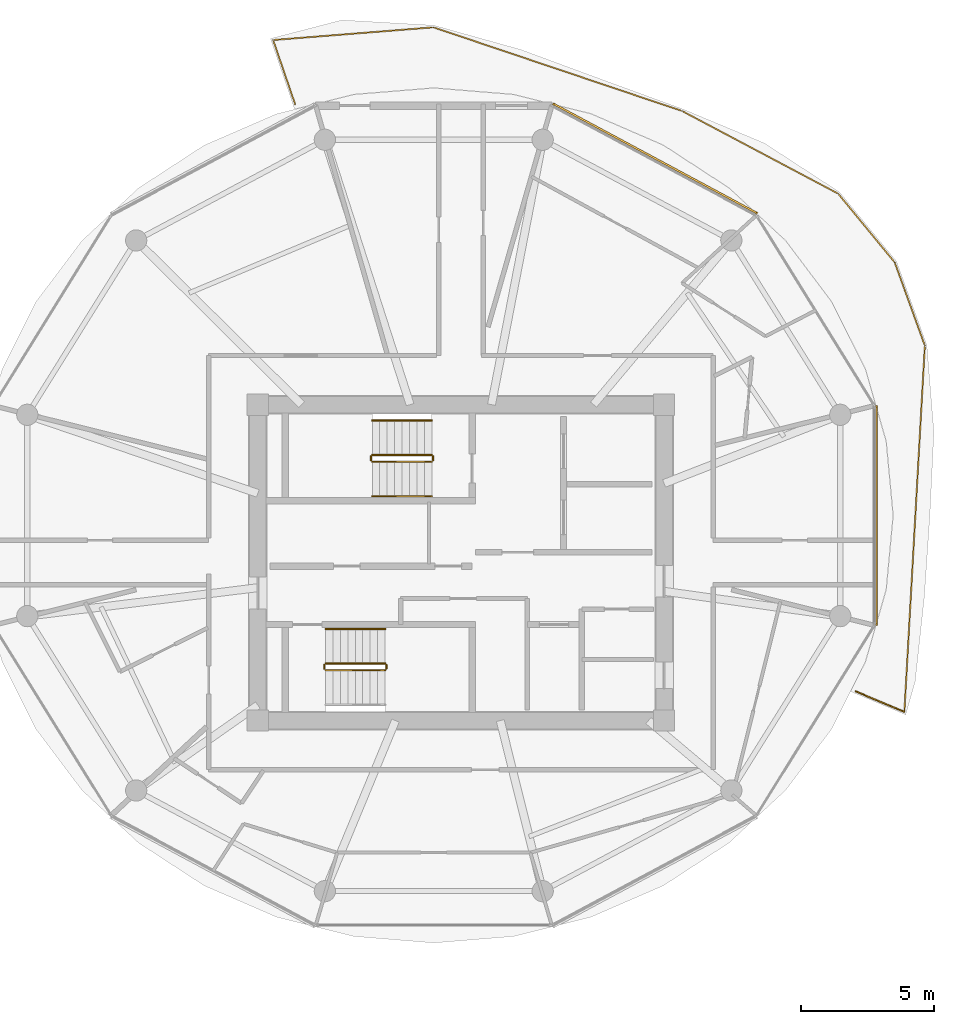
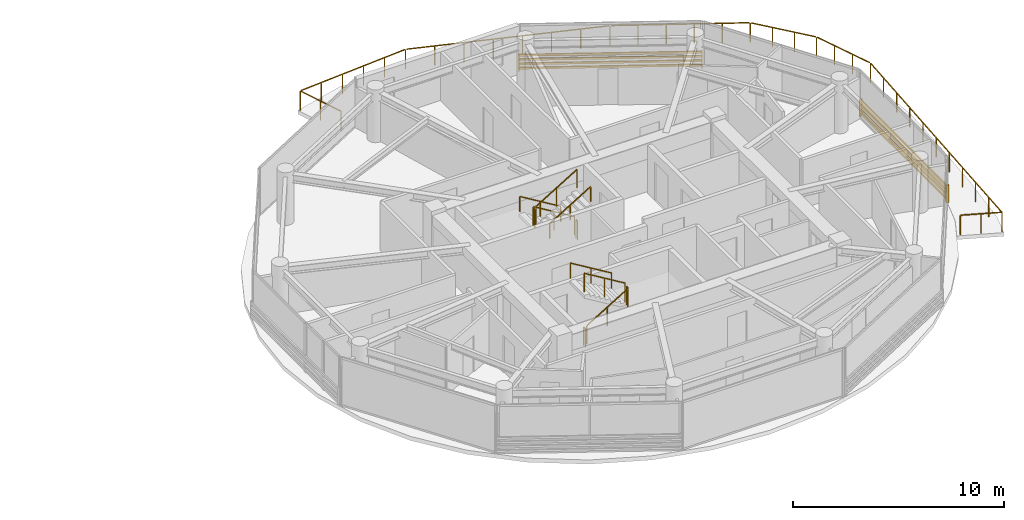
# One storey, part 22 of 22: 13 railings, 2 shading devices.
"""IFC4 building model written with IfcOpenShell, lengths in metres."""

from ifc_helpers import new_model, si_unit, direction, frame, origin, origin_2d, place, context, subcontext, project, spatial, rectangle, extrude, source, transform, mapped, material, type_object, type_shapes, element, save


model = new_model("IFC4")

# Units and contexts
model_context = context("Model", 3, precision=1e-05, world=origin(), true_north=direction((0.0, 1.0)))
body_context = subcontext(model_context, "Body", "Model", "MODEL_VIEW")
ifc_project = project(units=[si_unit("LENGTHUNIT", "METRE"), si_unit("AREAUNIT", "SQUARE_METRE"), si_unit("VOLUMEUNIT", "CUBIC_METRE"), si_unit("PLANEANGLEUNIT", "RADIAN"), si_unit("MASSUNIT", "GRAM", prefix="KILO")], contexts=[model_context])

# Site, building, storey
site_placement = place(None, origin())
site = spatial("IfcSite", under=ifc_project, at=site_placement, CompositionType="ELEMENT")
building_placement = place(site_placement, origin())
building = spatial("IfcBuilding", under=site, at=building_placement, Name="Norrkilde Senior Care Towers", CompositionType="ELEMENT")
storey_placement = place(building_placement, frame((0.0, 0.0, 170.89990234375)))
storey = spatial("IfcBuildingStorey", under=building, at=storey_placement, Name="L53", CompositionType="ELEMENT", Elevation=170.89990234375)

# Railings
ifc_material_1 = material(Name="Anodised Aluminium", Category="aluminium")
railing_type_1 = type_object("IfcRailingType", Name="Balcony Swirl Ribbon Guardrail 1150", PredefinedType="GUARDRAIL", material=ifc_material_1)
railing_1_placement = place(storey_placement, frame((44.699462890625, -5.622802734375, 0.0)))
element("IfcRailing", 1, at=railing_1_placement, inside=storey, type_object=railing_type_1, Name="L53 Perimeter Safety Guard 01", PredefinedType="GUARDRAIL", context=body_context, shape_type="SweptSolid", body=[
    extrude(rectangle(XDim=0.048095703125, YDim=0.048095703125, at=origin_2d()), frame((0.0, 0.0, 1.1259765625), z_axis=(-0.921238781567, 0.388997567263, 0.0), x_axis=(-0.388997567263, -0.921238781567, 0.0)), (0.0, 0.0, 1.0), 1.98388671875),
    extrude(rectangle(XDim=0.0419921875, YDim=0.0419921875, at=origin_2d()), origin(), (0.0, 0.0, 1.0), 1.099853515625),
    extrude(rectangle(XDim=0.0419921875, YDim=0.0419921875, at=origin_2d()), frame((-0.913818359375, 0.3857421875, 0.0)), (0.0, 0.0, 1.0), 1.099853515625),
    extrude(rectangle(XDim=0.0419921875, YDim=0.0419921875, at=origin_2d()), frame((-1.82763671875, 0.771728515625, 0.0)), (0.0, 0.0, 1.0), 1.099853515625),
])
railing_2_placement = place(storey_placement, frame((21.75390625, 17.263427734375, 0.0)))
element("IfcRailing", 2, at=railing_2_placement, inside=storey, type_object=railing_type_1, Name="L53 Perimeter Safety Guard 02", PredefinedType="GUARDRAIL", context=body_context, shape_type="SweptSolid", body=[
    extrude(rectangle(XDim=0.048095703125, YDim=0.048095703125, at=origin_2d()), frame((0.0, 0.0, 1.1259765625), z_axis=(-0.324065555554, 0.946034627116, 0.0), x_axis=(-0.946034627116, -0.324065555554, 0.0)), (0.0, 0.0, 1.0), 2.51611328125),
    extrude(rectangle(XDim=0.048095703125, YDim=0.048095703125, at=origin_2d()), frame((-0.787841796875, 2.422119140625, 1.1259765625), z_axis=(0.996879307401, 0.078940778286, 0.0), x_axis=(-0.078940778286, 0.996879307401, 0.0)), (0.0, 0.0, 1.0), 5.973876953125),
    extrude(rectangle(XDim=0.048095703125, YDim=0.048095703125, at=origin_2d()), frame((5.246826171875, 2.884033203125, 1.1259765625), z_axis=(0.947777807999, -0.318931382378, 0.0), x_axis=(0.318931382378, 0.947777807999, 0.0)), (0.0, 0.0, 1.0), 9.801513671875),
    extrude(rectangle(XDim=0.048095703125, YDim=0.048095703125, at=origin_2d()), frame((14.611328125, -0.274169921875, 1.1259765625), z_axis=(0.883687873203, -0.468076641965, 0.0), x_axis=(0.468076641965, 0.883687873203, 0.0)), (0.0, 0.0, 1.0), 6.56787109375),
    extrude(rectangle(XDim=0.048095703125, YDim=0.048095703125, at=origin_2d()), frame((20.477294921875, -3.399169921875, 1.1259765625), z_axis=(0.635304141472, -0.772262033139, 0.0), x_axis=(0.772262033139, 0.635304141472, 0.0)), (0.0, 0.0, 1.0), 3.273193359375),
    extrude(rectangle(XDim=0.048095703125, YDim=0.048095703125, at=origin_2d()), frame((22.5966796875, -5.996826171875, 1.1259765625), z_axis=(0.340278045908, -0.94032486486, 0.0), x_axis=(0.94032486486, 0.340278045908, 0.0)), (0.0, 0.0, 1.0), 3.2509765625),
    extrude(rectangle(XDim=0.048095703125, YDim=0.048095703125, at=origin_2d()), frame((23.714599609375, -9.133056640625, 1.1259765625), z_axis=(-0.055824316416, -0.998440606995, 0.0), x_axis=(0.998440606995, -0.055824316416, 0.0)), (0.0, 0.0, 1.0), 13.774658203125),
    extrude(rectangle(XDim=0.0419921875, YDim=0.0419921875, at=origin_2d()), origin(), (0.0, 0.0, 1.0), 1.099853515625),
    extrude(rectangle(XDim=0.0419921875, YDim=0.0419921875, at=origin_2d()), frame((-0.414306640625, 1.20947265625, 0.0)), (0.0, 0.0, 1.0), 1.099853515625),
    extrude(rectangle(XDim=0.0419921875, YDim=0.0419921875, at=origin_2d()), frame((-0.82861328125, 2.4189453125, 0.0)), (0.0, 0.0, 1.0), 1.099853515625),
    extrude(rectangle(XDim=0.0419921875, YDim=0.0419921875, at=origin_2d()), frame((0.378662109375, 2.5146484375, 0.0)), (0.0, 0.0, 1.0), 1.099853515625),
    extrude(rectangle(XDim=0.0419921875, YDim=0.0419921875, at=origin_2d()), frame((1.5859375, 2.610107421875, 0.0)), (0.0, 0.0, 1.0), 1.099853515625),
    extrude(rectangle(XDim=0.0419921875, YDim=0.0419921875, at=origin_2d()), frame((2.79345703125, 2.705810546875, 0.0)), (0.0, 0.0, 1.0), 1.099853515625),
    extrude(rectangle(XDim=0.0419921875, YDim=0.0419921875, at=origin_2d()), frame((4.000732421875, 2.80126953125, 0.0)), (0.0, 0.0, 1.0), 1.099853515625),
    extrude(rectangle(XDim=0.0419921875, YDim=0.0419921875, at=origin_2d()), frame((5.2080078125, 2.89697265625, 0.0)), (0.0, 0.0, 1.0), 1.099853515625),
    extrude(rectangle(XDim=0.0419921875, YDim=0.0419921875, at=origin_2d()), frame((6.546142578125, 2.44677734375, 0.0)), (0.0, 0.0, 1.0), 1.099853515625),
    extrude(rectangle(XDim=0.0419921875, YDim=0.0419921875, at=origin_2d()), frame((7.88427734375, 1.996337890625, 0.0)), (0.0, 0.0, 1.0), 1.099853515625),
    extrude(rectangle(XDim=0.0419921875, YDim=0.0419921875, at=origin_2d()), frame((9.222412109375, 1.546142578125, 0.0)), (0.0, 0.0, 1.0), 1.099853515625),
    extrude(rectangle(XDim=0.0419921875, YDim=0.0419921875, at=origin_2d()), frame((10.560791015625, 1.095703125, 0.0)), (0.0, 0.0, 1.0), 1.099853515625),
    extrude(rectangle(XDim=0.0419921875, YDim=0.0419921875, at=origin_2d()), frame((11.89892578125, 0.6455078125, 0.0)), (0.0, 0.0, 1.0), 1.099853515625),
    extrude(rectangle(XDim=0.0419921875, YDim=0.0419921875, at=origin_2d()), frame((13.237060546875, 0.195068359375, 0.0)), (0.0, 0.0, 1.0), 1.099853515625),
    extrude(rectangle(XDim=0.0419921875, YDim=0.0419921875, at=origin_2d()), frame((14.5751953125, -0.255126953125, 0.0)), (0.0, 0.0, 1.0), 1.099853515625),
    extrude(rectangle(XDim=0.0419921875, YDim=0.0419921875, at=origin_2d()), frame((15.75048828125, -0.877685546875, 0.0)), (0.0, 0.0, 1.0), 1.099853515625),
    extrude(rectangle(XDim=0.0419921875, YDim=0.0419921875, at=origin_2d()), frame((16.92578125, -1.500244140625, 0.0)), (0.0, 0.0, 1.0), 1.099853515625),
    extrude(rectangle(XDim=0.0419921875, YDim=0.0419921875, at=origin_2d()), frame((18.100830078125, -2.12255859375, 0.0)), (0.0, 0.0, 1.0), 1.099853515625),
    extrude(rectangle(XDim=0.0419921875, YDim=0.0419921875, at=origin_2d()), frame((19.276123046875, -2.7451171875, 0.0)), (0.0, 0.0, 1.0), 1.099853515625),
    extrude(rectangle(XDim=0.0419921875, YDim=0.0419921875, at=origin_2d()), frame((20.451416015625, -3.36767578125, 0.0)), (0.0, 0.0, 1.0), 1.099853515625),
    extrude(rectangle(XDim=0.0419921875, YDim=0.0419921875, at=origin_2d()), frame((21.161865234375, -4.231201171875, 0.0)), (0.0, 0.0, 1.0), 1.099853515625),
    extrude(rectangle(XDim=0.0419921875, YDim=0.0419921875, at=origin_2d()), frame((21.872314453125, -5.094970703125, 0.0)), (0.0, 0.0, 1.0), 1.099853515625),
    extrude(rectangle(XDim=0.0419921875, YDim=0.0419921875, at=origin_2d()), frame((22.582763671875, -5.95849609375, 0.0)), (0.0, 0.0, 1.0), 1.099853515625),
    extrude(rectangle(XDim=0.0419921875, YDim=0.0419921875, at=origin_2d()), frame((22.960693359375, -7.003173828125, 0.0)), (0.0, 0.0, 1.0), 1.099853515625),
    extrude(rectangle(XDim=0.0419921875, YDim=0.0419921875, at=origin_2d()), frame((23.3388671875, -8.047607421875, 0.0)), (0.0, 0.0, 1.0), 1.099853515625),
    extrude(rectangle(XDim=0.0419921875, YDim=0.0419921875, at=origin_2d()), frame((23.716796875, -9.09228515625, 0.0)), (0.0, 0.0, 1.0), 1.099853515625),
    extrude(rectangle(XDim=0.0419921875, YDim=0.0419921875, at=origin_2d()), frame((23.6396484375, -10.4716796875, 0.0)), (0.0, 0.0, 1.0), 1.099853515625),
    extrude(rectangle(XDim=0.0419921875, YDim=0.0419921875, at=origin_2d()), frame((23.5625, -11.85107421875, 0.0)), (0.0, 0.0, 1.0), 1.099853515625),
    extrude(rectangle(XDim=0.0419921875, YDim=0.0419921875, at=origin_2d()), frame((23.4853515625, -13.23046875, 0.0)), (0.0, 0.0, 1.0), 1.099853515625),
    extrude(rectangle(XDim=0.0419921875, YDim=0.0419921875, at=origin_2d()), frame((23.408203125, -14.60986328125, 0.0)), (0.0, 0.0, 1.0), 1.099853515625),
    extrude(rectangle(XDim=0.0419921875, YDim=0.0419921875, at=origin_2d()), frame((23.3310546875, -15.9892578125, 0.0)), (0.0, 0.0, 1.0), 1.099853515625),
    extrude(rectangle(XDim=0.0419921875, YDim=0.0419921875, at=origin_2d()), frame((23.254150390625, -17.36865234375, 0.0)), (0.0, 0.0, 1.0), 1.099853515625),
    extrude(rectangle(XDim=0.0419921875, YDim=0.0419921875, at=origin_2d()), frame((23.177001953125, -18.748046875, 0.0)), (0.0, 0.0, 1.0), 1.099853515625),
    extrude(rectangle(XDim=0.0419921875, YDim=0.0419921875, at=origin_2d()), frame((23.099853515625, -20.12744140625, 0.0)), (0.0, 0.0, 1.0), 1.099853515625),
    extrude(rectangle(XDim=0.0419921875, YDim=0.0419921875, at=origin_2d()), frame((23.022705078125, -21.5068359375, 0.0)), (0.0, 0.0, 1.0), 1.099853515625),
    extrude(rectangle(XDim=0.0419921875, YDim=0.0419921875, at=origin_2d()), frame((22.945556640625, -22.88623046875, 0.0)), (0.0, 0.0, 1.0), 1.099853515625),
])
ifc_material_2 = material(Name="Stainless Steel", Category="steel")
railing_type_2 = type_object("IfcRailingType", Name="Stair and Terrace Guardrail 1100", PredefinedType="GUARDRAIL", material=ifc_material_2)
railing_3_placement = place(storey_placement, frame((26.89990234375, 4.050048828125, 0.16943359375)))
element("IfcRailing", 3, at=railing_3_placement, inside=storey, type_object=railing_type_2, Name="L53 ST-E1 stair guard 1", PredefinedType="GUARDRAIL", context=body_context, shape_type="SweptSolid", body=[
    extrude(rectangle(XDim=0.048095703125, YDim=0.048095703125, at=origin_2d()), frame((0.0, 0.0, 1.076171875), z_axis=(-0.855512035549, 0.0, 0.517782924622), x_axis=(0.0, -1.0, 0.0)), (0.0, 0.0, 1.0), 2.618408203125),
    extrude(rectangle(XDim=0.0419921875, YDim=0.0419921875, at=origin_2d()), origin(), (0.0, 0.0, 1.0), 1.050048828125),
    extrude(rectangle(XDim=0.0419921875, YDim=0.0419921875, at=origin_2d()), frame((-1.1201171875, 0.0, 0.677734375)), (0.0, 0.0, 1.0), 1.050048828125),
    extrude(rectangle(XDim=0.0419921875, YDim=0.0419921875, at=origin_2d()), frame((-2.239990234375, 0.0, 1.355712890625)), (0.0, 0.0, 1.0), 1.050048828125),
])
railing_4_placement = place(storey_placement, frame((24.610107421875, 4.0, 1.525146484375)))
element("IfcRailing", 4, at=railing_4_placement, inside=storey, type_object=railing_type_2, Name="L53 ST-E1 stair guard 2", PredefinedType="GUARDRAIL", context=body_context, shape_type="SweptSolid", body=[
    extrude(rectangle(XDim=0.048095703125, YDim=0.048095703125, at=origin_2d()), frame((0.0, 0.0, 1.076171875), z_axis=(0.0, -1.0, 0.0), x_axis=(1.0, 0.0, 0.0)), (0.0, 0.0, 1.0), 0.14990234375),
    extrude(rectangle(XDim=0.0419921875, YDim=0.0419921875, at=origin_2d()), origin(), (0.0, 0.0, 1.0), 1.050048828125),
    extrude(rectangle(XDim=0.0419921875, YDim=0.0419921875, at=origin_2d()), frame((0.0, -0.14990234375, 0.0)), (0.0, 0.0, 1.0), 1.050048828125),
])
railing_5_placement = place(storey_placement, frame((24.659912109375, 3.800048828125, 1.694580078125)))
element("IfcRailing", 5, at=railing_5_placement, inside=storey, type_object=railing_type_2, Name="L53 ST-E1 stair guard 3", PredefinedType="GUARDRAIL", context=body_context, shape_type="SweptSolid", body=[
    extrude(rectangle(XDim=0.048095703125, YDim=0.048095703125, at=origin_2d()), frame((0.0, 0.0, 1.076171875), z_axis=(0.855553338991, 0.0, 0.51771467445), x_axis=(0.0, 1.0, 0.0)), (0.0, 0.0, 1.0), 2.6181640625),
    extrude(rectangle(XDim=0.0419921875, YDim=0.0419921875, at=origin_2d()), origin(), (0.0, 0.0, 1.0), 1.050048828125),
    extrude(rectangle(XDim=0.0419921875, YDim=0.0419921875, at=origin_2d()), frame((1.1201171875, 0.0, 0.677734375)), (0.0, 0.0, 1.0), 1.050048828125),
    extrude(rectangle(XDim=0.0419921875, YDim=0.0419921875, at=origin_2d()), frame((2.239990234375, 0.0, 1.35546875)), (0.0, 0.0, 1.0), 1.050048828125),
])
railing_6_placement = place(storey_placement, frame((26.949951171875, 4.0, 0.0)))
element("IfcRailing", 6, at=railing_6_placement, inside=storey, type_object=railing_type_2, Name="L53 ST-E1 stair guard 4", PredefinedType="GUARDRAIL", context=body_context, shape_type="SweptSolid", body=[
    extrude(rectangle(XDim=0.048095703125, YDim=0.048095703125, at=origin_2d()), frame((0.0, 0.0, 1.076171875), z_axis=(0.0, -1.0, 0.0), x_axis=(1.0, 0.0, 0.0)), (0.0, 0.0, 1.0), 0.14990234375),
    extrude(rectangle(XDim=0.0419921875, YDim=0.0419921875, at=origin_2d()), origin(), (0.0, 0.0, 1.0), 1.050048828125),
    extrude(rectangle(XDim=0.0419921875, YDim=0.0419921875, at=origin_2d()), frame((0.0, -0.14990234375, 0.0)), (0.0, 0.0, 1.0), 1.050048828125),
])
railing_7_placement = place(storey_placement, frame((22.89990234375, -4.050048828125, 0.16943359375)))
element("IfcRailing", 7, at=railing_7_placement, inside=storey, type_object=railing_type_2, Name="L53 ST-E2 stair guard 1", PredefinedType="GUARDRAIL", context=body_context, shape_type="SweptSolid", body=[
    extrude(rectangle(XDim=0.048095703125, YDim=0.048095703125, at=origin_2d()), frame((0.0, 0.0, 1.076171875), z_axis=(0.855512035549, 0.0, 0.517782924622), x_axis=(0.0, 1.0, 0.0)), (0.0, 0.0, 1.0), 2.618408203125),
    extrude(rectangle(XDim=0.0419921875, YDim=0.0419921875, at=origin_2d()), origin(), (0.0, 0.0, 1.0), 1.050048828125),
    extrude(rectangle(XDim=0.0419921875, YDim=0.0419921875, at=origin_2d()), frame((1.1201171875, 0.0, 0.677734375)), (0.0, 0.0, 1.0), 1.050048828125),
    extrude(rectangle(XDim=0.0419921875, YDim=0.0419921875, at=origin_2d()), frame((2.239990234375, 0.0, 1.355712890625)), (0.0, 0.0, 1.0), 1.050048828125),
])
railing_8_placement = place(storey_placement, frame((25.18994140625, -4.0, 1.525146484375)))
element("IfcRailing", 8, at=railing_8_placement, inside=storey, type_object=railing_type_2, Name="L53 ST-E2 stair guard 2", PredefinedType="GUARDRAIL", context=body_context, shape_type="SweptSolid", body=[
    extrude(rectangle(XDim=0.048095703125, YDim=0.048095703125, at=origin_2d()), frame((0.0, 0.0, 1.076171875), z_axis=(0.0, 1.0, 0.0), x_axis=(-1.0, 0.0, 0.0)), (0.0, 0.0, 1.0), 0.14990234375),
    extrude(rectangle(XDim=0.0419921875, YDim=0.0419921875, at=origin_2d()), origin(), (0.0, 0.0, 1.0), 1.050048828125),
    extrude(rectangle(XDim=0.0419921875, YDim=0.0419921875, at=origin_2d()), frame((0.0, 0.14990234375, 0.0)), (0.0, 0.0, 1.0), 1.050048828125),
])
railing_9_placement = place(storey_placement, frame((25.139892578125, -3.800048828125, 1.694580078125)))
element("IfcRailing", 9, at=railing_9_placement, inside=storey, type_object=railing_type_2, Name="L53 ST-E2 stair guard 3", PredefinedType="GUARDRAIL", context=body_context, shape_type="SweptSolid", body=[
    extrude(rectangle(XDim=0.048095703125, YDim=0.048095703125, at=origin_2d()), frame((0.0, 0.0, 1.076171875), z_axis=(-0.855553338991, 0.0, 0.51771467445), x_axis=(0.0, -1.0, 0.0)), (0.0, 0.0, 1.0), 2.6181640625),
    extrude(rectangle(XDim=0.0419921875, YDim=0.0419921875, at=origin_2d()), origin(), (0.0, 0.0, 1.0), 1.050048828125),
    extrude(rectangle(XDim=0.0419921875, YDim=0.0419921875, at=origin_2d()), frame((-1.1201171875, 0.0, 0.677734375)), (0.0, 0.0, 1.0), 1.050048828125),
    extrude(rectangle(XDim=0.0419921875, YDim=0.0419921875, at=origin_2d()), frame((-2.239990234375, 0.0, 1.35546875)), (0.0, 0.0, 1.0), 1.050048828125),
])
railing_10_placement = place(storey_placement, frame((22.85009765625, -4.0, 0.0)))
element("IfcRailing", 10, at=railing_10_placement, inside=storey, type_object=railing_type_2, Name="L53 ST-E2 stair guard 4", PredefinedType="GUARDRAIL", context=body_context, shape_type="SweptSolid", body=[
    extrude(rectangle(XDim=0.048095703125, YDim=0.048095703125, at=origin_2d()), frame((0.0, 0.0, 1.076171875), z_axis=(0.0, 1.0, 0.0), x_axis=(-1.0, 0.0, 0.0)), (0.0, 0.0, 1.0), 0.14990234375),
    extrude(rectangle(XDim=0.0419921875, YDim=0.0419921875, at=origin_2d()), origin(), (0.0, 0.0, 1.0), 1.050048828125),
    extrude(rectangle(XDim=0.0419921875, YDim=0.0419921875, at=origin_2d()), frame((0.0, 0.14990234375, 0.0)), (0.0, 0.0, 1.0), 1.050048828125),
])
ifc_material_3 = material(Name="Nordic Ash Timber", Category="wood")
railing_type_3 = type_object("IfcRailingType", Name="Wall and Stair Handrail 900", PredefinedType="HANDRAIL", material=ifc_material_3)
railing_11_placement = place(storey_placement, frame((26.89990234375, 5.35009765625, 0.16943359375)))
element("IfcRailing", 11, at=railing_11_placement, inside=storey, type_object=railing_type_3, Name="L53 ST-E1 stair handrail 1", PredefinedType="HANDRAIL", context=body_context, shape_type="SweptSolid", body=[
    extrude(rectangle(XDim=0.048095703125, YDim=0.048095703125, at=origin_2d()), frame((0.0, 0.0, 0.8759765625), z_axis=(-0.855512035549, 0.0, 0.517782924622), x_axis=(0.0, -1.0, 0.0)), (0.0, 0.0, 1.0), 2.618408203125),
    extrude(rectangle(XDim=0.0419921875, YDim=0.0419921875, at=origin_2d()), origin(), (0.0, 0.0, 1.0), 0.849853515625),
    extrude(rectangle(XDim=0.0419921875, YDim=0.0419921875, at=origin_2d()), frame((-1.1201171875, 0.0, 0.677734375)), (0.0, 0.0, 1.0), 0.849853515625),
    extrude(rectangle(XDim=0.0419921875, YDim=0.0419921875, at=origin_2d()), frame((-2.239990234375, 0.0, 1.355712890625)), (0.0, 0.0, 1.0), 0.849853515625),
])
railing_12_placement = place(storey_placement, frame((24.659912109375, 2.5, 1.694580078125)))
element("IfcRailing", 12, at=railing_12_placement, inside=storey, type_object=railing_type_3, Name="L53 ST-E1 stair handrail 2", PredefinedType="HANDRAIL", context=body_context, shape_type="SweptSolid", body=[
    extrude(rectangle(XDim=0.048095703125, YDim=0.048095703125, at=origin_2d()), frame((0.0, 0.0, 0.8759765625), z_axis=(0.855553338991, 0.0, 0.51771467445), x_axis=(0.0, 1.0, 0.0)), (0.0, 0.0, 1.0), 2.6181640625),
    extrude(rectangle(XDim=0.0419921875, YDim=0.0419921875, at=origin_2d()), origin(), (0.0, 0.0, 1.0), 0.849853515625),
    extrude(rectangle(XDim=0.0419921875, YDim=0.0419921875, at=origin_2d()), frame((1.1201171875, 0.0, 0.677734375)), (0.0, 0.0, 1.0), 0.849853515625),
    extrude(rectangle(XDim=0.0419921875, YDim=0.0419921875, at=origin_2d()), frame((2.239990234375, 0.0, 1.35546875)), (0.0, 0.0, 1.0), 0.849853515625),
])
railing_13_placement = place(storey_placement, frame((25.139892578125, -2.5, 1.694580078125)))
element("IfcRailing", 13, at=railing_13_placement, inside=storey, type_object=railing_type_3, Name="L53 ST-E2 stair handrail 2", PredefinedType="HANDRAIL", context=body_context, shape_type="SweptSolid", body=[
    extrude(rectangle(XDim=0.048095703125, YDim=0.048095703125, at=origin_2d()), frame((0.0, 0.0, 0.8759765625), z_axis=(-0.855553338991, 0.0, 0.51771467445), x_axis=(0.0, -1.0, 0.0)), (0.0, 0.0, 1.0), 2.6181640625),
    extrude(rectangle(XDim=0.0419921875, YDim=0.0419921875, at=origin_2d()), origin(), (0.0, 0.0, 1.0), 0.849853515625),
    extrude(rectangle(XDim=0.0419921875, YDim=0.0419921875, at=origin_2d()), frame((-1.1201171875, 0.0, 0.677734375)), (0.0, 0.0, 1.0), 0.849853515625),
    extrude(rectangle(XDim=0.0419921875, YDim=0.0419921875, at=origin_2d()), frame((-2.239990234375, 0.0, 1.35546875)), (0.0, 0.0, 1.0), 0.849853515625),
])

# Shading devices
ifc_material_4 = material(Name="Architectural Terracotta", Category="masonry")
shading_device_type = type_object("IfcShadingDeviceType", Name="Horizontal Terracotta Baguette Rack", PredefinedType="USERDEFINED", material=ifc_material_4)
shared_shape_1 = source(origin(), body_context, "Body", "SweptSolid", [
    extrude(rectangle(XDim=0.070068359375, YDim=0.110107421875, at=origin_2d()), frame((0.0, 0.090087890625, 0.125), z_axis=(1.0, 0.0, 0.0), x_axis=(0.0, 1.0, 0.0)), (0.0, 0.0, 1.0), 8.74169921875),
    extrude(rectangle(XDim=0.070068359375, YDim=0.110107421875, at=origin_2d()), frame((0.0, 0.090087890625, 0.375), z_axis=(1.0, 0.0, 0.0), x_axis=(0.0, 1.0, 0.0)), (0.0, 0.0, 1.0), 8.74169921875),
    extrude(rectangle(XDim=0.070068359375, YDim=0.110107421875, at=origin_2d()), frame((0.0, 0.090087890625, 0.625), z_axis=(1.0, 0.0, 0.0), x_axis=(0.0, 1.0, 0.0)), (0.0, 0.0, 1.0), 8.74169921875),
    extrude(rectangle(XDim=0.070068359375, YDim=0.110107421875, at=origin_2d()), frame((0.0, 0.090087890625, 0.875), z_axis=(1.0, 0.0, 0.0), x_axis=(0.0, 1.0, 0.0)), (0.0, 0.0, 1.0), 8.74169921875),
    extrude(rectangle(XDim=0.050048828125, YDim=0.1552734375, at=origin_2d()), frame((0.02490234375, 0.047607421875, 0.0)), (0.0, 0.0, 1.0), 1.0),
    extrude(rectangle(XDim=0.050048828125, YDim=0.1552734375, at=origin_2d()), frame((8.716796875, 0.047607421875, 0.0)), (0.0, 0.0, 1.0), 1.0),
])
shading_device_1_placement = place(storey_placement, frame((31.421630859375, 17.2109375, 0.080078125), z_axis=(0.0, 0.0, 1.0), x_axis=(0.880997598168, -0.47313299447, 0.0)))
element("IfcShadingDevice", 14, at=shading_device_1_placement, inside=storey, type_object=shading_device_type, Name="L53 Drum E Terracotta Baguette Screen 01", ObjectType="BAGUETTE", PredefinedType="USERDEFINED", context=body_context, shape_type="MappedRepresentation", body=[
    mapped(shared_shape_1, transform((0.0, 0.0, 0.0), x_axis=(1.0, 0.0, 0.0), y_axis=(0.0, 1.0, 0.0), z_axis=(0.0, 0.0, 1.0), scale=1.0)),
])
shared_shape_2 = source(origin(), body_context, "Body", "SweptSolid", [
    extrude(rectangle(XDim=0.070068359375, YDim=0.110107421875, at=origin_2d()), frame((0.0, 0.090087890625, 0.125), z_axis=(1.0, 0.0, 0.0), x_axis=(0.0, 1.0, 0.0)), (0.0, 0.0, 1.0), 8.27197265625),
    extrude(rectangle(XDim=0.070068359375, YDim=0.110107421875, at=origin_2d()), frame((0.0, 0.090087890625, 0.375), z_axis=(1.0, 0.0, 0.0), x_axis=(0.0, 1.0, 0.0)), (0.0, 0.0, 1.0), 8.27197265625),
    extrude(rectangle(XDim=0.070068359375, YDim=0.110107421875, at=origin_2d()), frame((0.0, 0.090087890625, 0.625), z_axis=(1.0, 0.0, 0.0), x_axis=(0.0, 1.0, 0.0)), (0.0, 0.0, 1.0), 8.27197265625),
    extrude(rectangle(XDim=0.070068359375, YDim=0.110107421875, at=origin_2d()), frame((0.0, 0.090087890625, 0.875), z_axis=(1.0, 0.0, 0.0), x_axis=(0.0, 1.0, 0.0)), (0.0, 0.0, 1.0), 8.27197265625),
    extrude(rectangle(XDim=0.050048828125, YDim=0.1552734375, at=origin_2d()), frame((0.02490234375, 0.047607421875, 0.0)), (0.0, 0.0, 1.0), 1.0),
    extrude(rectangle(XDim=0.050048828125, YDim=0.1552734375, at=origin_2d()), frame((8.2470703125, 0.047607421875, 0.0)), (0.0, 0.0, 1.0), 1.0),
])
type_shapes(shading_device_type, [shared_shape_1, shared_shape_2])
shading_device_2_placement = place(storey_placement, frame((43.569580078125, 5.911376953125, 0.080078125), z_axis=(0.0, 0.0, 1.0), x_axis=(0.0, -1.0, 0.0)))
element("IfcShadingDevice", 15, at=shading_device_2_placement, inside=storey, type_object=shading_device_type, Name="L53 Drum E Terracotta Baguette Screen 11", ObjectType="BAGUETTE", PredefinedType="USERDEFINED", context=body_context, shape_type="MappedRepresentation", body=[
    mapped(shared_shape_2, transform((0.0, 0.0, 0.0), x_axis=(1.0, 0.0, 0.0), y_axis=(0.0, 1.0, 0.0), z_axis=(0.0, 0.0, 1.0), scale=1.0)),
])

save(model, "model.ifc")
